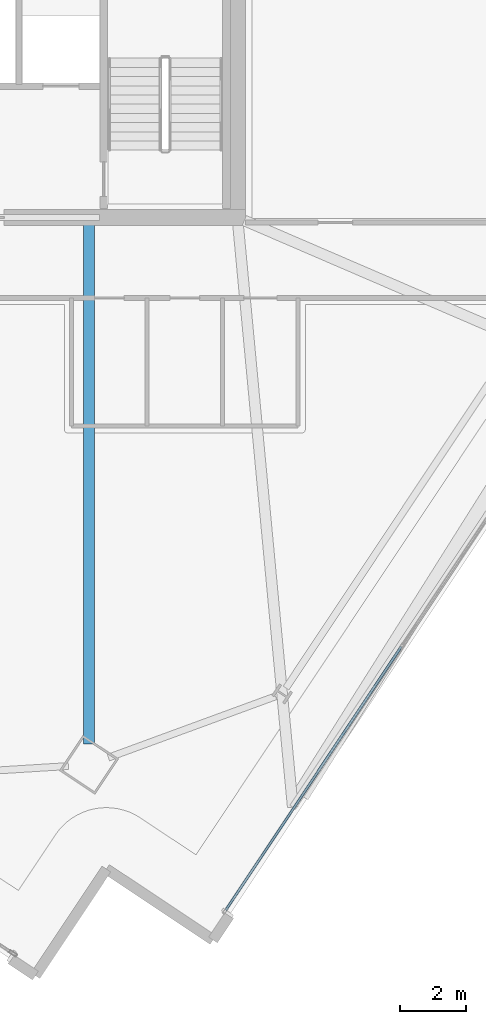
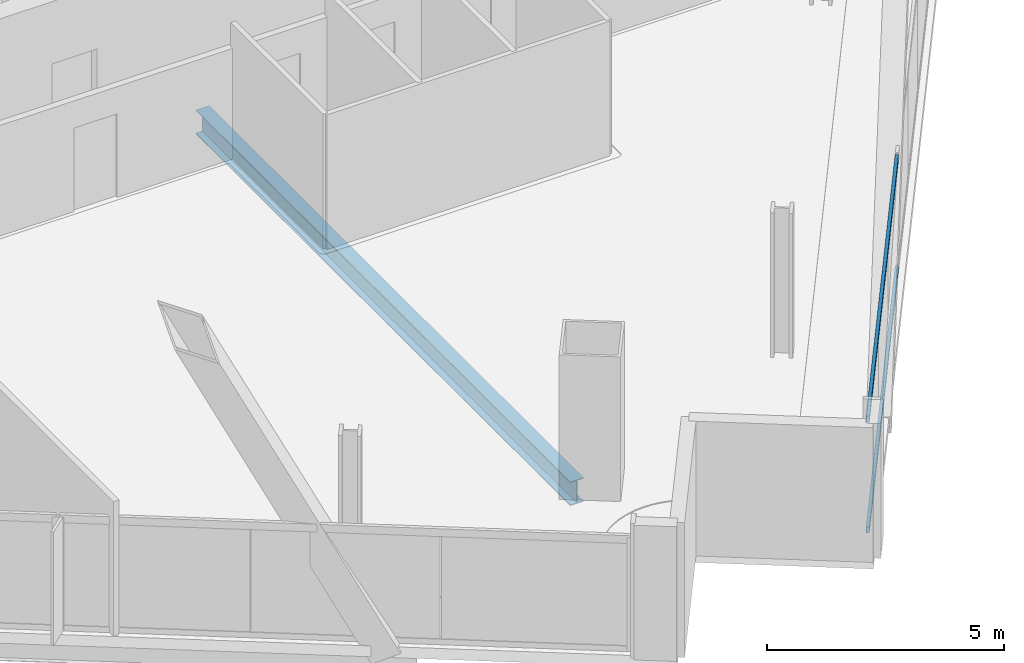
# One storey, part 8 of 32: 2 members, 1 beam, 1 element without a shape of its own.
"""IFC4 building model written with IfcOpenShell, lengths in metres."""

from ifc_helpers import new_model, si_unit, direction, frame, origin, origin_2d, place, context, subcontext, project, spatial, hollow_rectangle, i_section, extrude, material, material_profile, profile_set, type_object, element, aggregate, save


model = new_model("IFC4")

# Units and contexts
model_context = context("Model", 3, precision=1e-05, world=origin(), true_north=direction((0.0, 1.0)))
body_context = subcontext(model_context, "Body", "Model", "MODEL_VIEW")
ifc_project = project(units=[si_unit("LENGTHUNIT", "METRE"), si_unit("AREAUNIT", "SQUARE_METRE"), si_unit("VOLUMEUNIT", "CUBIC_METRE"), si_unit("PLANEANGLEUNIT", "RADIAN"), si_unit("MASSUNIT", "GRAM", prefix="KILO")], contexts=[model_context])

# Site, building, storey
site_placement = place(None, origin())
site = spatial("IfcSite", under=ifc_project, at=site_placement, CompositionType="ELEMENT")
building_placement = place(site_placement, origin())
building = spatial("IfcBuilding", under=site, at=building_placement, Name="Haldenkirk Collegiate Tower", CompositionType="ELEMENT")
storey_placement = place(building_placement, frame((0.0, 0.0, 217.199951171875)))
storey = spatial("IfcBuildingStorey", under=building, at=storey_placement, Name="L54", CompositionType="ELEMENT", Elevation=217.199951171875)

# Beam
ifc_material_1 = material(Name="Steel ASTM A992 Grade 50", Category="steel")
ifc_material_profile_1 = material_profile(ifc_material_1, i_section(OverallWidth=0.324951171875, OverallDepth=0.615966796875, WebThickness=0.013916015625, FlangeThickness=0.021484375, at=origin_2d()), Name="W24X117")
ifc_profile_set_1 = profile_set([ifc_material_profile_1], Name="Steel ASTM A992 Grade 50")
beam_type = type_object("IfcBeamType", Name="BM-GIRDER-W24X117", PredefinedType="BEAM", material=ifc_profile_set_1)
beam_placement = place(storey_placement, frame((40.482666015625, 1.962890625, -0.587890625), z_axis=(0.0, 1.0, 0.0), x_axis=(-1.0, 0.0, 0.0)))
element("IfcBeam", 1, at=beam_placement, inside=storey, type_object=beam_type, Name="L54 primary floor girder 01", PredefinedType="BEAM", context=body_context, shape_type="SweptSolid", body=[
    extrude(i_section(OverallWidth=0.324951171875, OverallDepth=0.615966796875, WebThickness=0.013916015625, FlangeThickness=0.021484375, at=origin_2d()), origin(), (0.0, 0.0, 1.0), 15.80712890625),
])

# Curtain wall, members
ifc_material_2 = material(Name="Anodised architectural bronze aluminium", Category="aluminium")
curtain_wall_type = type_object("IfcCurtainWallType", Name="CW-SYS2-CONCAVE", PredefinedType="USERDEFINED", material=ifc_material_2)
curtain_wall_placement = place(storey_placement, origin())
curtain_wall = element("IfcCurtainWall", 2, at=curtain_wall_placement, inside=storey, type_object=curtain_wall_type, Name="L54 South concave recessed bronze-anodised curtain wall", ObjectType="UNITISED CURTAIN WALL", PredefinedType="USERDEFINED")
ifc_material_profile_2 = material_profile(ifc_material_2, hollow_rectangle(XDim=0.074951171875, YDim=0.159912109375, WallThickness=0.0048828125, at=origin_2d()), Name="CW-TRN-02")
ifc_profile_set_2 = profile_set([ifc_material_profile_2], Name="Anodised architectural bronze aluminium")
member_type = type_object("IfcMemberType", Name="CW-TRN-02", PredefinedType="USERDEFINED", material=ifc_profile_set_2)
member_1_placement = place(storey_placement, frame((49.989013671875, 4.930419921875, 0.03759765625), z_axis=(-0.554115471217, -0.832439814376, 0.0), x_axis=(0.832439814376, -0.554115471217, 0.0)))
member_1 = element("IfcMember", 3, at=member_1_placement, type_object=member_type, Name="CW-02 transom 4.1", ObjectType="TRANSOM", PredefinedType="USERDEFINED", context=body_context, shape_type="SweptSolid", body=[
    extrude(hollow_rectangle(XDim=0.074951171875, YDim=0.159912109375, WallThickness=0.0048828125, at=origin_2d()), origin(), (0.0, 0.0, 1.0), 9.6376953125),
])
member_2_placement = place(storey_placement, frame((49.989013671875, 4.930419921875, 2.890625), z_axis=(-0.554115471217, -0.832439814376, 0.0), x_axis=(0.832439814376, -0.554115471217, 0.0)))
member_2 = element("IfcMember", 4, at=member_2_placement, type_object=member_type, Name="CW-02 transom 4.2", ObjectType="TRANSOM", PredefinedType="USERDEFINED", context=body_context, shape_type="SweptSolid", body=[
    extrude(hollow_rectangle(XDim=0.074951171875, YDim=0.159912109375, WallThickness=0.0048828125, at=origin_2d()), origin(), (0.0, 0.0, 1.0), 9.6376953125),
])
aggregate(curtain_wall, [member_1, member_2])

save(model, "model.ifc")
